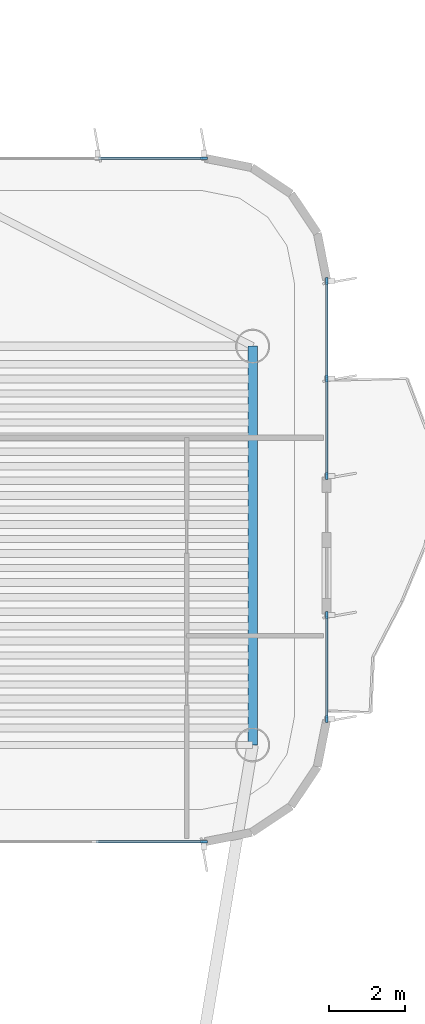
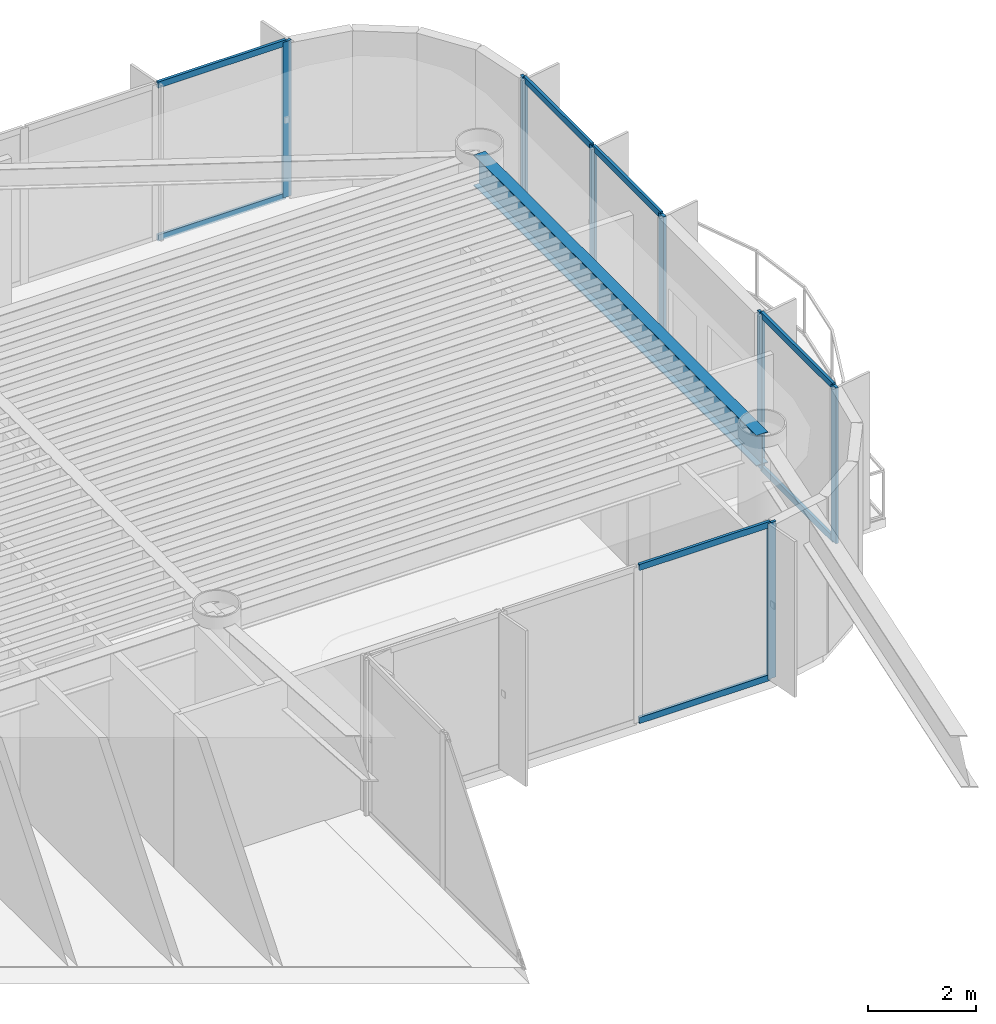
# One storey, part 8 of 15: 17 members, 1 beam, 4 elements without a shape of their own.
"""IFC4 building model written with IfcOpenShell, lengths in metres."""

from ifc_helpers import new_model, si_unit, direction, frame, origin, origin_2d, place, context, subcontext, project, spatial, rectangle, i_section, extrude, source, transform, mapped, material, layer, layer_set, material_profile, profile_set, type_object, element, aggregate, save


model = new_model("IFC4")

# Units and contexts
model_context = context("Model", 3, precision=1e-05, world=origin(), true_north=direction((0.0, 1.0)))
body_context = subcontext(model_context, "Body", "Model", "MODEL_VIEW")
ifc_project = project(units=[si_unit("LENGTHUNIT", "METRE"), si_unit("AREAUNIT", "SQUARE_METRE"), si_unit("VOLUMEUNIT", "CUBIC_METRE"), si_unit("PLANEANGLEUNIT", "RADIAN"), si_unit("MASSUNIT", "GRAM", prefix="KILO")], contexts=[model_context])

# Site, building, storey
site_placement = place(None, origin())
site = spatial("IfcSite", under=ifc_project, at=site_placement, CompositionType="ELEMENT")
building_placement = place(site_placement, origin())
building = spatial("IfcBuilding", under=site, at=building_placement, Name="Brelvock Crest Care Tower", CompositionType="ELEMENT")
storey_placement = place(building_placement, frame((0.0, 0.0, 275.93994140625)))
storey = spatial("IfcBuildingStorey", under=building, at=storey_placement, Name="L70", CompositionType="ELEMENT", Elevation=275.93994140625)

# Beam
ifc_material_1 = material(Name="Steel Grade 350", Category="steel")
ifc_material_profile_1 = material_profile(ifc_material_1, i_section(OverallWidth=0.25, OverallDepth=0.699951171875, WebThickness=0.011962890625, FlangeThickness=0.02001953125, at=origin_2d()), Name="700WB150")
ifc_profile_set_1 = profile_set([ifc_material_profile_1], Name="Steel Grade 350")
beam_type = type_object("IfcBeamType", Name="BM-G4", PredefinedType="BEAM", material=ifc_profile_set_1)
shared_shape_1 = source(origin(), body_context, "Body", "SweptSolid", [
    extrude(i_section(OverallWidth=0.25, OverallDepth=0.699951171875, WebThickness=0.011962890625, FlangeThickness=0.02001953125, at=origin_2d()), origin(), (0.0, 0.0, 1.0), 10.5),
])
beam_placement = place(storey_placement, frame((52.35009765625, 43.949951171875, 3.18017578125), z_axis=(0.0, 1.0, 0.0), x_axis=(-1.0, 0.0, 0.0)))
element("IfcBeam", 1, at=beam_placement, inside=storey, type_object=beam_type, Name="BM-TWR-L70-02", PredefinedType="BEAM", context=body_context, shape_type="MappedRepresentation", body=[
    mapped(shared_shape_1, transform((0.0, 0.0, 0.0), x_axis=(1.0, 0.0, 0.0), y_axis=(0.0, 1.0, 0.0), z_axis=(0.0, 0.0, 1.0), scale=1.0)),
])

# Curtain wall, member
ifc_material_2 = material(Name="Dark Glass Double Glazed Low-E", Category="glass")
ifc_layer = layer(ifc_material_2, 0.239990234375, Name="CWS-5")
ifc_layer_set = layer_set([ifc_layer], Name="Dark Glass Double Glazed Low-E")
curtain_wall_type = type_object("IfcCurtainWallType", Name="CWS-5", PredefinedType="NOTDEFINED", material=ifc_layer_set)
curtain_wall_1_placement = place(storey_placement, origin())
curtain_wall_1 = element("IfcCurtainWall", 2, at=curtain_wall_1_placement, inside=storey, type_object=curtain_wall_type, Name="L70 Curtain Wall E34", PredefinedType="NOTDEFINED")
ifc_material_3 = material(Name="Aluminium 6063-T6", Category="aluminium")
ifc_material_profile_2 = material_profile(ifc_material_3, rectangle(XDim=0.06005859375, YDim=0.179931640625, at=origin_2d()), Name="ALU60x180")
ifc_profile_set_2 = profile_set([ifc_material_profile_2], Name="Aluminium 6063-T6")
member_type_1 = type_object("IfcMemberType", Name="CWM-2", PredefinedType="MULLION", material=ifc_profile_set_2)
shared_shape_2 = source(origin(), body_context, "Body", "SweptSolid", [
    extrude(rectangle(XDim=0.06005859375, YDim=0.179931640625, at=origin_2d()), origin(), (0.0, 0.0, 1.0), 3.530029296875),
])
member_1_placement = place(storey_placement, frame((51.070068359375, 59.39990234375, 0.0), z_axis=(0.0, 0.0, 1.0), x_axis=(0.0, 1.0, 0.0)))
member_1 = element("IfcMember", 3, at=member_1_placement, type_object=member_type_1, Name="CW-5 mullion 4", PredefinedType="MULLION", context=body_context, shape_type="MappedRepresentation", body=[
    mapped(shared_shape_2, transform((0.0, 0.0, 0.0), x_axis=(1.0, 0.0, 0.0), y_axis=(0.0, 1.0, 0.0), z_axis=(0.0, 0.0, 1.0), scale=1.0)),
])

# Curtain wall, members
curtain_wall_2_placement = place(storey_placement, origin())
curtain_wall_2 = element("IfcCurtainWall", 4, at=curtain_wall_2_placement, inside=storey, type_object=curtain_wall_type, Name="L70 Curtain Wall E39A", PredefinedType="NOTDEFINED")
member_2_placement = place(storey_placement, frame((54.300048828125, 56.169921875, 0.0), z_axis=(0.0, 0.0, 1.0), x_axis=(1.0, 0.0, 0.0)))
member_2 = element("IfcMember", 5, at=member_2_placement, type_object=member_type_1, Name="CW-5 mullion 1", PredefinedType="MULLION", context=body_context, shape_type="MappedRepresentation", body=[
    mapped(shared_shape_2, transform((0.0, 0.0, 0.0), x_axis=(1.0, 0.0, 0.0), y_axis=(0.0, 1.0, 0.0), z_axis=(0.0, 0.0, 1.0), scale=1.0)),
])
member_3_placement = place(storey_placement, frame((54.300048828125, 53.60009765625, 0.0), z_axis=(0.0, 0.0, 1.0), x_axis=(1.0, 0.0, 0.0)))
member_3 = element("IfcMember", 6, at=member_3_placement, type_object=member_type_1, Name="CW-5 mullion 2", PredefinedType="MULLION", context=body_context, shape_type="MappedRepresentation", body=[
    mapped(shared_shape_2, transform((0.0, 0.0, 0.0), x_axis=(1.0, 0.0, 0.0), y_axis=(0.0, 1.0, 0.0), z_axis=(0.0, 0.0, 1.0), scale=1.0)),
])
member_4_placement = place(storey_placement, frame((54.300048828125, 51.030029296875, 0.0), z_axis=(0.0, 0.0, 1.0), x_axis=(1.0, 0.0, 0.0)))
member_4 = element("IfcMember", 7, at=member_4_placement, type_object=member_type_1, Name="CW-5 mullion 3", PredefinedType="MULLION", context=body_context, shape_type="MappedRepresentation", body=[
    mapped(shared_shape_2, transform((0.0, 0.0, 0.0), x_axis=(1.0, 0.0, 0.0), y_axis=(0.0, 1.0, 0.0), z_axis=(0.0, 0.0, 1.0), scale=1.0)),
])

curtain_wall_3_placement = place(storey_placement, origin())
curtain_wall_3 = element("IfcCurtainWall", 8, at=curtain_wall_3_placement, inside=storey, type_object=curtain_wall_type, Name="L70 Curtain Wall E39B", PredefinedType="NOTDEFINED")
member_5_placement = place(storey_placement, frame((54.300048828125, 47.3701171875, 0.0), z_axis=(0.0, 0.0, 1.0), x_axis=(1.0, 0.0, 0.0)))
member_5 = element("IfcMember", 9, at=member_5_placement, type_object=member_type_1, Name="CW-5 mullion 1", PredefinedType="MULLION", context=body_context, shape_type="MappedRepresentation", body=[
    mapped(shared_shape_2, transform((0.0, 0.0, 0.0), x_axis=(1.0, 0.0, 0.0), y_axis=(0.0, 1.0, 0.0), z_axis=(0.0, 0.0, 1.0), scale=1.0)),
])
member_6_placement = place(storey_placement, frame((54.300048828125, 44.6298828125, 0.0), z_axis=(0.0, 0.0, 1.0), x_axis=(1.0, 0.0, 0.0)))
member_6 = element("IfcMember", 10, at=member_6_placement, type_object=member_type_1, Name="CW-5 mullion 2", PredefinedType="MULLION", context=body_context, shape_type="MappedRepresentation", body=[
    mapped(shared_shape_2, transform((0.0, 0.0, 0.0), x_axis=(1.0, 0.0, 0.0), y_axis=(0.0, 1.0, 0.0), z_axis=(0.0, 0.0, 1.0), scale=1.0)),
])

# Curtain wall, member
curtain_wall_4_placement = place(storey_placement, origin())
curtain_wall_4 = element("IfcCurtainWall", 11, at=curtain_wall_4_placement, inside=storey, type_object=curtain_wall_type, Name="L70 Curtain Wall E44", PredefinedType="NOTDEFINED")
member_7_placement = place(storey_placement, frame((51.070068359375, 41.39990234375, 0.0), z_axis=(0.0, 0.0, 1.0), x_axis=(0.0, -1.0, 0.0)))
member_7 = element("IfcMember", 12, at=member_7_placement, type_object=member_type_1, Name="CW-5 mullion 1", PredefinedType="MULLION", context=body_context, shape_type="MappedRepresentation", body=[
    mapped(shared_shape_2, transform((0.0, 0.0, 0.0), x_axis=(1.0, 0.0, 0.0), y_axis=(0.0, 1.0, 0.0), z_axis=(0.0, 0.0, 1.0), scale=1.0)),
])

# Member
ifc_material_profile_3 = material_profile(ifc_material_3, rectangle(XDim=0.06005859375, YDim=0.139892578125, at=origin_2d()), Name="ALU60x140")
ifc_profile_set_3 = profile_set([ifc_material_profile_3], Name="Aluminium 6063-T6")
member_type_2 = type_object("IfcMemberType", Name="CWT-2", PredefinedType="USERDEFINED", material=ifc_profile_set_3)
shared_shape_3 = source(origin(), body_context, "Body", "SweptSolid", [
    extrude(rectangle(XDim=0.06005859375, YDim=0.139892578125, at=origin_2d()), origin(), (0.0, 0.0, 1.0), 2.510009765625),
])
member_8_placement = place(storey_placement, frame((54.300048828125, 56.139892578125, 0.030029296875), z_axis=(0.0, -1.0, 0.0), x_axis=(1.0, 0.0, 0.0)))
member_8 = element("IfcMember", 13, at=member_8_placement, type_object=member_type_2, Name="CW-5 transom 1.1", ObjectType="TRANSOM", PredefinedType="USERDEFINED", context=body_context, shape_type="MappedRepresentation", body=[
    mapped(shared_shape_3, transform((0.0, 0.0, 0.0), x_axis=(1.0, 0.0, 0.0), y_axis=(0.0, 1.0, 0.0), z_axis=(0.0, 0.0, 1.0), scale=1.0)),
])

member_9_placement = place(storey_placement, frame((54.300048828125, 56.139892578125, 3.5), z_axis=(0.0, -1.0, 0.0), x_axis=(1.0, 0.0, 0.0)))
member_9 = element("IfcMember", 14, at=member_9_placement, type_object=member_type_2, Name="CW-5 transom 1.2", ObjectType="TRANSOM", PredefinedType="USERDEFINED", context=body_context, shape_type="MappedRepresentation", body=[
    mapped(shared_shape_3, transform((0.0, 0.0, 0.0), x_axis=(1.0, 0.0, 0.0), y_axis=(0.0, 1.0, 0.0), z_axis=(0.0, 0.0, 1.0), scale=1.0)),
])

member_10_placement = place(storey_placement, frame((54.300048828125, 53.570068359375, 0.030029296875), z_axis=(0.0, -1.0, 0.0), x_axis=(1.0, 0.0, 0.0)))
member_10 = element("IfcMember", 15, at=member_10_placement, type_object=member_type_2, Name="CW-5 transom 2.1", ObjectType="TRANSOM", PredefinedType="USERDEFINED", context=body_context, shape_type="MappedRepresentation", body=[
    mapped(shared_shape_3, transform((0.0, 0.0, 0.0), x_axis=(1.0, 0.0, 0.0), y_axis=(0.0, 1.0, 0.0), z_axis=(0.0, 0.0, 1.0), scale=1.0)),
])

member_11_placement = place(storey_placement, frame((54.300048828125, 53.570068359375, 3.5), z_axis=(0.0, -1.0, 0.0), x_axis=(1.0, 0.0, 0.0)))
member_11 = element("IfcMember", 16, at=member_11_placement, type_object=member_type_2, Name="CW-5 transom 2.2", ObjectType="TRANSOM", PredefinedType="USERDEFINED", context=body_context, shape_type="MappedRepresentation", body=[
    mapped(shared_shape_3, transform((0.0, 0.0, 0.0), x_axis=(1.0, 0.0, 0.0), y_axis=(0.0, 1.0, 0.0), z_axis=(0.0, 0.0, 1.0), scale=1.0)),
])

aggregate(curtain_wall_2, [member_2, member_3, member_4, member_8, member_9, member_10, member_11])

shared_shape_4 = source(origin(), body_context, "Body", "SweptSolid", [
    extrude(rectangle(XDim=0.06005859375, YDim=0.139892578125, at=origin_2d()), origin(), (0.0, 0.0, 1.0), 2.81005859375),
])
member_12_placement = place(storey_placement, frame((51.0400390625, 41.39990234375, 0.030029296875), z_axis=(-1.0, 0.0, 0.0), x_axis=(0.0, -1.0, 0.0)))
member_12 = element("IfcMember", 17, at=member_12_placement, type_object=member_type_2, Name="CW-5 transom 1.1", ObjectType="TRANSOM", PredefinedType="USERDEFINED", context=body_context, shape_type="MappedRepresentation", body=[
    mapped(shared_shape_4, transform((0.0, 0.0, 0.0), x_axis=(1.0, 0.0, 0.0), y_axis=(0.0, 1.0, 0.0), z_axis=(0.0, 0.0, 1.0), scale=1.0)),
])

member_13_placement = place(storey_placement, frame((51.0400390625, 41.39990234375, 3.5), z_axis=(-1.0, 0.0, 0.0), x_axis=(0.0, -1.0, 0.0)))
member_13 = element("IfcMember", 18, at=member_13_placement, type_object=member_type_2, Name="CW-5 transom 1.2", ObjectType="TRANSOM", PredefinedType="USERDEFINED", context=body_context, shape_type="MappedRepresentation", body=[
    mapped(shared_shape_4, transform((0.0, 0.0, 0.0), x_axis=(1.0, 0.0, 0.0), y_axis=(0.0, 1.0, 0.0), z_axis=(0.0, 0.0, 1.0), scale=1.0)),
])

aggregate(curtain_wall_4, [member_7, member_12, member_13])

shared_shape_5 = source(origin(), body_context, "Body", "SweptSolid", [
    extrude(rectangle(XDim=0.06005859375, YDim=0.139892578125, at=origin_2d()), origin(), (0.0, 0.0, 1.0), 2.743408203125),
])
member_14_placement = place(storey_placement, frame((48.296630859375, 59.39990234375, 0.030029296875), z_axis=(1.0, 0.0, 0.0), x_axis=(0.0, 1.0, 0.0)))
member_14 = element("IfcMember", 19, at=member_14_placement, type_object=member_type_2, Name="CW-5 transom 3.1", ObjectType="TRANSOM", PredefinedType="USERDEFINED", context=body_context, shape_type="MappedRepresentation", body=[
    mapped(shared_shape_5, transform((0.0, 0.0, 0.0), x_axis=(1.0, 0.0, 0.0), y_axis=(0.0, 1.0, 0.0), z_axis=(0.0, 0.0, 1.0), scale=1.0)),
])

member_15_placement = place(storey_placement, frame((48.296630859375, 59.39990234375, 3.5), z_axis=(1.0, 0.0, 0.0), x_axis=(0.0, 1.0, 0.0)))
member_15 = element("IfcMember", 20, at=member_15_placement, type_object=member_type_2, Name="CW-5 transom 3.2", ObjectType="TRANSOM", PredefinedType="USERDEFINED", context=body_context, shape_type="MappedRepresentation", body=[
    mapped(shared_shape_5, transform((0.0, 0.0, 0.0), x_axis=(1.0, 0.0, 0.0), y_axis=(0.0, 1.0, 0.0), z_axis=(0.0, 0.0, 1.0), scale=1.0)),
])

aggregate(curtain_wall_1, [member_1, member_14, member_15])

shared_shape_6 = source(origin(), body_context, "Body", "SweptSolid", [
    extrude(rectangle(XDim=0.06005859375, YDim=0.139892578125, at=origin_2d()), origin(), (0.0, 0.0, 1.0), 2.68017578125),
])
member_16_placement = place(storey_placement, frame((54.300048828125, 47.340087890625, 0.030029296875), z_axis=(0.0, -1.0, 0.0), x_axis=(1.0, 0.0, 0.0)))
member_16 = element("IfcMember", 21, at=member_16_placement, type_object=member_type_2, Name="CW-5 transom 1.1", ObjectType="TRANSOM", PredefinedType="USERDEFINED", context=body_context, shape_type="MappedRepresentation", body=[
    mapped(shared_shape_6, transform((0.0, 0.0, 0.0), x_axis=(1.0, 0.0, 0.0), y_axis=(0.0, 1.0, 0.0), z_axis=(0.0, 0.0, 1.0), scale=1.0)),
])

member_17_placement = place(storey_placement, frame((54.300048828125, 47.340087890625, 3.5), z_axis=(0.0, -1.0, 0.0), x_axis=(1.0, 0.0, 0.0)))
member_17 = element("IfcMember", 22, at=member_17_placement, type_object=member_type_2, Name="CW-5 transom 1.2", ObjectType="TRANSOM", PredefinedType="USERDEFINED", context=body_context, shape_type="MappedRepresentation", body=[
    mapped(shared_shape_6, transform((0.0, 0.0, 0.0), x_axis=(1.0, 0.0, 0.0), y_axis=(0.0, 1.0, 0.0), z_axis=(0.0, 0.0, 1.0), scale=1.0)),
])

aggregate(curtain_wall_3, [member_5, member_6, member_16, member_17])

save(model, "model.ifc")
